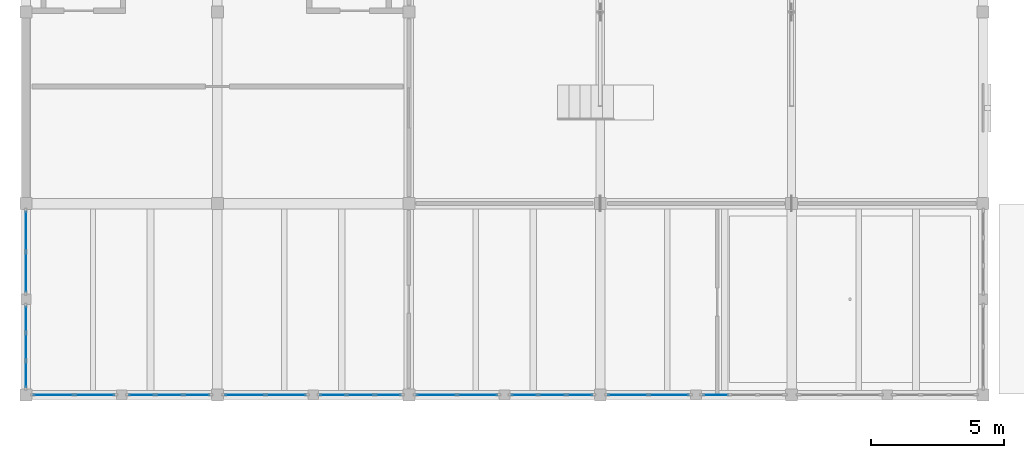
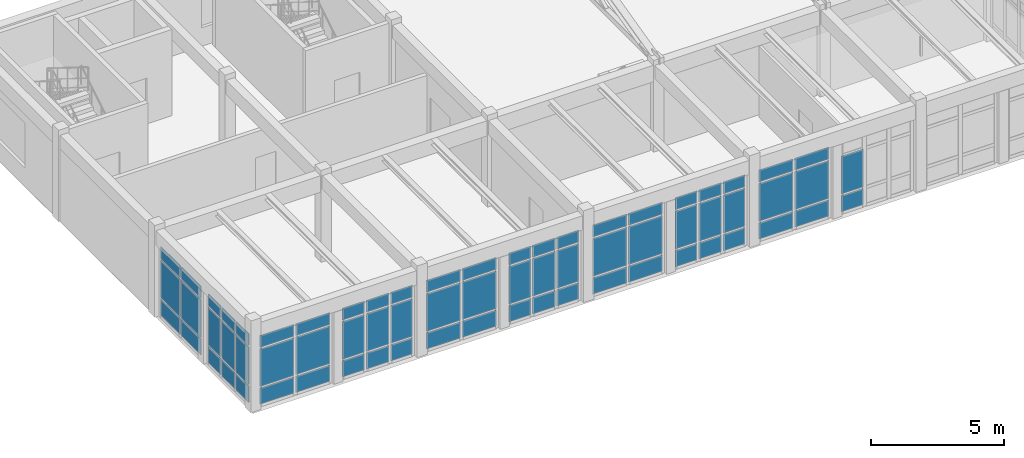
# One storey, part 75 of 136: 68 plates, 10 elements without a shape of their own.
"""IFC4 building model written with IfcOpenShell, lengths in metres."""

from ifc_helpers import new_model, si_unit, direction, frame, origin, origin_2d, place, context, subcontext, project, spatial, rectangle, extrude, material, layer, layer_set, type_object, element, aggregate, save


model = new_model("IFC4")

# Units and contexts
model_context = context("Model", 3, precision=1e-05, world=origin(), true_north=direction((0.0, 1.0)))
body_context = subcontext(model_context, "Body", "Model", "MODEL_VIEW")
ifc_project = project(units=[si_unit("LENGTHUNIT", "METRE"), si_unit("AREAUNIT", "SQUARE_METRE"), si_unit("VOLUMEUNIT", "CUBIC_METRE"), si_unit("PLANEANGLEUNIT", "RADIAN"), si_unit("MASSUNIT", "GRAM", prefix="KILO")], contexts=[model_context])

# Site, building, storey
site_placement = place(None, origin())
site = spatial("IfcSite", under=ifc_project, at=site_placement, CompositionType="ELEMENT")
building_placement = place(site_placement, origin())
building = spatial("IfcBuilding", under=site, at=building_placement, Name="Koriwan Promenade Central Fire Station", CompositionType="ELEMENT")
storey_placement = place(building_placement, frame((0.0, 0.0, 5.39990234375)))
storey = spatial("IfcBuildingStorey", under=building, at=storey_placement, Name="L01", CompositionType="ELEMENT", Elevation=5.39990234375)

# Curtain wall, plates
ifc_material_1 = material(Name="Aluminium EN AW-6063-T6 and low-E glazing", Category="aluminium")
ifc_layer_1 = layer(ifc_material_1, 0.159912109375, Name="Aluminium EN AW-6063-T6 and low-E glazing")
ifc_layer_set_1 = layer_set([ifc_layer_1], Name="Aluminium EN AW-6063-T6 and low-E glazing")
curtain_wall_type_1 = type_object("IfcCurtainWallType", Name="CurtainWall_28_318x329", PredefinedType="USERDEFINED", material=ifc_layer_set_1)
curtain_wall_1_placement = place(storey_placement, origin())
curtain_wall_1 = element("IfcCurtainWall", 1, at=curtain_wall_1_placement, inside=storey, type_object=curtain_wall_type_1, Name="V3 L01 unitised curtain wall 069", ObjectType="UNITISED CURTAIN WALL", PredefinedType="USERDEFINED")
ifc_material_2 = material(Name="Solar-control low-E acoustic glazing", Category="glass")
ifc_layer_2 = layer(ifc_material_2, 0.031982421875, Name="Solar-control low-E acoustic glazing")
ifc_layer_set_2 = layer_set([ifc_layer_2], Name="Solar-control low-E acoustic glazing")
plate_type = type_object("IfcPlateType", Name="CWPanel_32", PredefinedType="CURTAIN_PANEL", material=ifc_layer_set_2)
plate_1_placement = place(storey_placement, frame((0.0, 6.16259765625, 0.0751953125), z_axis=(0.0, 0.0, 1.0), x_axis=(0.0, -1.0, 0.0)))
plate_1 = element("IfcPlate", 2, at=plate_1_placement, type_object=plate_type, Name="CW-28 panel 1.1", PredefinedType="CURTAIN_PANEL", context=body_context, shape_type="SweptSolid", body=[
    extrude(rectangle(XDim=1.47509765625, YDim=0.031982421875, at=origin_2d()), origin(), (0.0, 0.0, 1.0), 0.737548828125),
])
plate_2_placement = place(storey_placement, frame((0.0, 6.16259765625, 0.8876953125), z_axis=(0.0, 0.0, 1.0), x_axis=(0.0, -1.0, 0.0)))
plate_2 = element("IfcPlate", 3, at=plate_2_placement, type_object=plate_type, Name="CW-28 panel 1.2", PredefinedType="CURTAIN_PANEL", context=body_context, shape_type="SweptSolid", body=[
    extrude(rectangle(XDim=1.47509765625, YDim=0.031982421875, at=origin_2d()), origin(), (0.0, 0.0, 1.0), 1.715087890625),
])
plate_3_placement = place(storey_placement, frame((0.0, 6.16259765625, 2.677490234375), z_axis=(0.0, 0.0, 1.0), x_axis=(0.0, -1.0, 0.0)))
plate_3 = element("IfcPlate", 4, at=plate_3_placement, type_object=plate_type, Name="CW-28 panel 1.3", PredefinedType="CURTAIN_PANEL", context=body_context, shape_type="SweptSolid", body=[
    extrude(rectangle(XDim=1.47509765625, YDim=0.031982421875, at=origin_2d()), origin(), (0.0, 0.0, 1.0), 0.53759765625),
])
plate_4_placement = place(storey_placement, frame((0.0, 4.612548828125, 0.0751953125), z_axis=(0.0, 0.0, 1.0), x_axis=(0.0, -1.0, 0.0)))
plate_4 = element("IfcPlate", 5, at=plate_4_placement, type_object=plate_type, Name="CW-28 panel 2.1", PredefinedType="CURTAIN_PANEL", context=body_context, shape_type="SweptSolid", body=[
    extrude(rectangle(XDim=1.47509765625, YDim=0.031982421875, at=origin_2d()), origin(), (0.0, 0.0, 1.0), 0.737548828125),
])
plate_5_placement = place(storey_placement, frame((0.0, 4.612548828125, 0.8876953125), z_axis=(0.0, 0.0, 1.0), x_axis=(0.0, -1.0, 0.0)))
plate_5 = element("IfcPlate", 6, at=plate_5_placement, type_object=plate_type, Name="CW-28 panel 2.2", PredefinedType="CURTAIN_PANEL", context=body_context, shape_type="SweptSolid", body=[
    extrude(rectangle(XDim=1.47509765625, YDim=0.031982421875, at=origin_2d()), origin(), (0.0, 0.0, 1.0), 1.715087890625),
])
plate_6_placement = place(storey_placement, frame((0.0, 4.612548828125, 2.677490234375), z_axis=(0.0, 0.0, 1.0), x_axis=(0.0, -1.0, 0.0)))
plate_6 = element("IfcPlate", 7, at=plate_6_placement, type_object=plate_type, Name="CW-28 panel 2.3", PredefinedType="CURTAIN_PANEL", context=body_context, shape_type="SweptSolid", body=[
    extrude(rectangle(XDim=1.47509765625, YDim=0.031982421875, at=origin_2d()), origin(), (0.0, 0.0, 1.0), 0.53759765625),
])
aggregate(curtain_wall_1, [plate_1, plate_2, plate_3, plate_4, plate_5, plate_6])

ifc_layer_3 = layer(ifc_material_1, 0.159912109375, Name="Aluminium EN AW-6063-T6 and low-E glazing")
ifc_layer_set_3 = layer_set([ifc_layer_3], Name="Aluminium EN AW-6063-T6 and low-E glazing")
curtain_wall_type_2 = type_object("IfcCurtainWallType", Name="CurtainWall_29_318x329", PredefinedType="USERDEFINED", material=ifc_layer_set_3)
curtain_wall_2_placement = place(storey_placement, origin())
curtain_wall_2 = element("IfcCurtainWall", 8, at=curtain_wall_2_placement, inside=storey, type_object=curtain_wall_type_2, Name="V3 L01 unitised curtain wall 070", ObjectType="UNITISED CURTAIN WALL", PredefinedType="USERDEFINED")
plate_7_placement = place(storey_placement, frame((0.0, 2.85205078125, 0.0751953125), z_axis=(0.0, 0.0, 1.0), x_axis=(0.0, -1.0, 0.0)))
plate_7 = element("IfcPlate", 9, at=plate_7_placement, type_object=plate_type, Name="CW-29 panel 1.1", PredefinedType="CURTAIN_PANEL", context=body_context, shape_type="SweptSolid", body=[
    extrude(rectangle(XDim=0.94580078125, YDim=0.031982421875, at=origin_2d()), origin(), (0.0, 0.0, 1.0), 0.737548828125),
])
plate_8_placement = place(storey_placement, frame((0.0, 2.85205078125, 0.8876953125), z_axis=(0.0, 0.0, 1.0), x_axis=(0.0, -1.0, 0.0)))
plate_8 = element("IfcPlate", 10, at=plate_8_placement, type_object=plate_type, Name="CW-29 panel 1.2", PredefinedType="CURTAIN_PANEL", context=body_context, shape_type="SweptSolid", body=[
    extrude(rectangle(XDim=0.94580078125, YDim=0.031982421875, at=origin_2d()), origin(), (0.0, 0.0, 1.0), 1.715087890625),
])
plate_9_placement = place(storey_placement, frame((0.0, 2.85205078125, 2.677490234375), z_axis=(0.0, 0.0, 1.0), x_axis=(0.0, -1.0, 0.0)))
plate_9 = element("IfcPlate", 11, at=plate_9_placement, type_object=plate_type, Name="CW-29 panel 1.3", PredefinedType="CURTAIN_PANEL", context=body_context, shape_type="SweptSolid", body=[
    extrude(rectangle(XDim=0.94580078125, YDim=0.031982421875, at=origin_2d()), origin(), (0.0, 0.0, 1.0), 0.53759765625),
])
plate_10_placement = place(storey_placement, frame((0.0, 1.8125, 0.0751953125), z_axis=(0.0, 0.0, 1.0), x_axis=(0.0, -1.0, 0.0)))
plate_10 = element("IfcPlate", 12, at=plate_10_placement, type_object=plate_type, Name="CW-29 panel 2.1", PredefinedType="CURTAIN_PANEL", context=body_context, shape_type="SweptSolid", body=[
    extrude(rectangle(XDim=0.9833984375, YDim=0.031982421875, at=origin_2d()), origin(), (0.0, 0.0, 1.0), 0.737548828125),
])
plate_11_placement = place(storey_placement, frame((0.0, 1.8125, 0.8876953125), z_axis=(0.0, 0.0, 1.0), x_axis=(0.0, -1.0, 0.0)))
plate_11 = element("IfcPlate", 13, at=plate_11_placement, type_object=plate_type, Name="CW-29 panel 2.2", PredefinedType="CURTAIN_PANEL", context=body_context, shape_type="SweptSolid", body=[
    extrude(rectangle(XDim=0.9833984375, YDim=0.031982421875, at=origin_2d()), origin(), (0.0, 0.0, 1.0), 1.715087890625),
])
plate_12_placement = place(storey_placement, frame((0.0, 1.8125, 2.677490234375), z_axis=(0.0, 0.0, 1.0), x_axis=(0.0, -1.0, 0.0)))
plate_12 = element("IfcPlate", 14, at=plate_12_placement, type_object=plate_type, Name="CW-29 panel 2.3", PredefinedType="CURTAIN_PANEL", context=body_context, shape_type="SweptSolid", body=[
    extrude(rectangle(XDim=0.9833984375, YDim=0.031982421875, at=origin_2d()), origin(), (0.0, 0.0, 1.0), 0.53759765625),
])
plate_13_placement = place(storey_placement, frame((0.0, 0.77294921875, 0.0751953125), z_axis=(0.0, 0.0, 1.0), x_axis=(0.0, -1.0, 0.0)))
plate_13 = element("IfcPlate", 15, at=plate_13_placement, type_object=plate_type, Name="CW-29 panel 3.1", PredefinedType="CURTAIN_PANEL", context=body_context, shape_type="SweptSolid", body=[
    extrude(rectangle(XDim=0.94580078125, YDim=0.031982421875, at=origin_2d()), origin(), (0.0, 0.0, 1.0), 0.737548828125),
])
plate_14_placement = place(storey_placement, frame((0.0, 0.77294921875, 0.8876953125), z_axis=(0.0, 0.0, 1.0), x_axis=(0.0, -1.0, 0.0)))
plate_14 = element("IfcPlate", 16, at=plate_14_placement, type_object=plate_type, Name="CW-29 panel 3.2", PredefinedType="CURTAIN_PANEL", context=body_context, shape_type="SweptSolid", body=[
    extrude(rectangle(XDim=0.94580078125, YDim=0.031982421875, at=origin_2d()), origin(), (0.0, 0.0, 1.0), 1.715087890625),
])
plate_15_placement = place(storey_placement, frame((0.0, 0.77294921875, 2.677490234375), z_axis=(0.0, 0.0, 1.0), x_axis=(0.0, -1.0, 0.0)))
plate_15 = element("IfcPlate", 17, at=plate_15_placement, type_object=plate_type, Name="CW-29 panel 3.3", PredefinedType="CURTAIN_PANEL", context=body_context, shape_type="SweptSolid", body=[
    extrude(rectangle(XDim=0.94580078125, YDim=0.031982421875, at=origin_2d()), origin(), (0.0, 0.0, 1.0), 0.53759765625),
])
aggregate(curtain_wall_2, [plate_7, plate_8, plate_9, plate_10, plate_11, plate_12, plate_13, plate_14, plate_15])

curtain_wall_3_placement = place(storey_placement, origin())
curtain_wall_3 = element("IfcCurtainWall", 18, at=curtain_wall_3_placement, inside=storey, type_object=curtain_wall_type_1, Name="V3 L01 unitised curtain wall 071", ObjectType="UNITISED CURTAIN WALL", PredefinedType="USERDEFINED")
plate_16_placement = place(storey_placement, frame((1.03759765625, 0.0, 0.0751953125), z_axis=(0.0, 0.0, 1.0), x_axis=(1.0, 0.0, 0.0)))
plate_16 = element("IfcPlate", 19, at=plate_16_placement, type_object=plate_type, Name="CW-28 panel 1.1", PredefinedType="CURTAIN_PANEL", context=body_context, shape_type="SweptSolid", body=[
    extrude(rectangle(XDim=1.47509765625, YDim=0.031982421875, at=origin_2d()), origin(), (0.0, 0.0, 1.0), 0.737548828125),
])
plate_17_placement = place(storey_placement, frame((1.03759765625, 0.0, 0.8876953125), z_axis=(0.0, 0.0, 1.0), x_axis=(1.0, 0.0, 0.0)))
plate_17 = element("IfcPlate", 20, at=plate_17_placement, type_object=plate_type, Name="CW-28 panel 1.2", PredefinedType="CURTAIN_PANEL", context=body_context, shape_type="SweptSolid", body=[
    extrude(rectangle(XDim=1.47509765625, YDim=0.031982421875, at=origin_2d()), origin(), (0.0, 0.0, 1.0), 1.715087890625),
])
plate_18_placement = place(storey_placement, frame((1.03759765625, 0.0, 2.677490234375), z_axis=(0.0, 0.0, 1.0), x_axis=(1.0, 0.0, 0.0)))
plate_18 = element("IfcPlate", 21, at=plate_18_placement, type_object=plate_type, Name="CW-28 panel 1.3", PredefinedType="CURTAIN_PANEL", context=body_context, shape_type="SweptSolid", body=[
    extrude(rectangle(XDim=1.47509765625, YDim=0.031982421875, at=origin_2d()), origin(), (0.0, 0.0, 1.0), 0.53759765625),
])
plate_19_placement = place(storey_placement, frame((2.58740234375, 0.0, 0.0751953125), z_axis=(0.0, 0.0, 1.0), x_axis=(1.0, 0.0, 0.0)))
plate_19 = element("IfcPlate", 22, at=plate_19_placement, type_object=plate_type, Name="CW-28 panel 2.1", PredefinedType="CURTAIN_PANEL", context=body_context, shape_type="SweptSolid", body=[
    extrude(rectangle(XDim=1.47509765625, YDim=0.031982421875, at=origin_2d()), origin(), (0.0, 0.0, 1.0), 0.737548828125),
])
plate_20_placement = place(storey_placement, frame((2.58740234375, 0.0, 0.8876953125), z_axis=(0.0, 0.0, 1.0), x_axis=(1.0, 0.0, 0.0)))
plate_20 = element("IfcPlate", 23, at=plate_20_placement, type_object=plate_type, Name="CW-28 panel 2.2", PredefinedType="CURTAIN_PANEL", context=body_context, shape_type="SweptSolid", body=[
    extrude(rectangle(XDim=1.47509765625, YDim=0.031982421875, at=origin_2d()), origin(), (0.0, 0.0, 1.0), 1.715087890625),
])
plate_21_placement = place(storey_placement, frame((2.58740234375, 0.0, 2.677490234375), z_axis=(0.0, 0.0, 1.0), x_axis=(1.0, 0.0, 0.0)))
plate_21 = element("IfcPlate", 24, at=plate_21_placement, type_object=plate_type, Name="CW-28 panel 2.3", PredefinedType="CURTAIN_PANEL", context=body_context, shape_type="SweptSolid", body=[
    extrude(rectangle(XDim=1.47509765625, YDim=0.031982421875, at=origin_2d()), origin(), (0.0, 0.0, 1.0), 0.53759765625),
])
aggregate(curtain_wall_3, [plate_16, plate_17, plate_18, plate_19, plate_20, plate_21])

curtain_wall_4_placement = place(storey_placement, origin())
curtain_wall_4 = element("IfcCurtainWall", 25, at=curtain_wall_4_placement, inside=storey, type_object=curtain_wall_type_2, Name="V3 L01 unitised curtain wall 072", ObjectType="UNITISED CURTAIN WALL", PredefinedType="USERDEFINED")
plate_22_placement = place(storey_placement, frame((4.347900390625, 0.0, 0.0751953125), z_axis=(0.0, 0.0, 1.0), x_axis=(1.0, 0.0, 0.0)))
plate_22 = element("IfcPlate", 26, at=plate_22_placement, type_object=plate_type, Name="CW-29 panel 1.1", PredefinedType="CURTAIN_PANEL", context=body_context, shape_type="SweptSolid", body=[
    extrude(rectangle(XDim=0.94580078125, YDim=0.031982421875, at=origin_2d()), origin(), (0.0, 0.0, 1.0), 0.737548828125),
])
plate_23_placement = place(storey_placement, frame((4.347900390625, 0.0, 0.8876953125), z_axis=(0.0, 0.0, 1.0), x_axis=(1.0, 0.0, 0.0)))
plate_23 = element("IfcPlate", 27, at=plate_23_placement, type_object=plate_type, Name="CW-29 panel 1.2", PredefinedType="CURTAIN_PANEL", context=body_context, shape_type="SweptSolid", body=[
    extrude(rectangle(XDim=0.94580078125, YDim=0.031982421875, at=origin_2d()), origin(), (0.0, 0.0, 1.0), 1.715087890625),
])
plate_24_placement = place(storey_placement, frame((4.347900390625, 0.0, 2.677490234375), z_axis=(0.0, 0.0, 1.0), x_axis=(1.0, 0.0, 0.0)))
plate_24 = element("IfcPlate", 28, at=plate_24_placement, type_object=plate_type, Name="CW-29 panel 1.3", PredefinedType="CURTAIN_PANEL", context=body_context, shape_type="SweptSolid", body=[
    extrude(rectangle(XDim=0.94580078125, YDim=0.031982421875, at=origin_2d()), origin(), (0.0, 0.0, 1.0), 0.53759765625),
])
plate_25_placement = place(storey_placement, frame((5.387451171875, 0.0, 0.0751953125), z_axis=(0.0, 0.0, 1.0), x_axis=(1.0, 0.0, 0.0)))
plate_25 = element("IfcPlate", 29, at=plate_25_placement, type_object=plate_type, Name="CW-29 panel 2.1", PredefinedType="CURTAIN_PANEL", context=body_context, shape_type="SweptSolid", body=[
    extrude(rectangle(XDim=0.9833984375, YDim=0.031982421875, at=origin_2d()), origin(), (0.0, 0.0, 1.0), 0.737548828125),
])
plate_26_placement = place(storey_placement, frame((5.387451171875, 0.0, 0.8876953125), z_axis=(0.0, 0.0, 1.0), x_axis=(1.0, 0.0, 0.0)))
plate_26 = element("IfcPlate", 30, at=plate_26_placement, type_object=plate_type, Name="CW-29 panel 2.2", PredefinedType="CURTAIN_PANEL", context=body_context, shape_type="SweptSolid", body=[
    extrude(rectangle(XDim=0.9833984375, YDim=0.031982421875, at=origin_2d()), origin(), (0.0, 0.0, 1.0), 1.715087890625),
])
plate_27_placement = place(storey_placement, frame((5.387451171875, 0.0, 2.677490234375), z_axis=(0.0, 0.0, 1.0), x_axis=(1.0, 0.0, 0.0)))
plate_27 = element("IfcPlate", 31, at=plate_27_placement, type_object=plate_type, Name="CW-29 panel 2.3", PredefinedType="CURTAIN_PANEL", context=body_context, shape_type="SweptSolid", body=[
    extrude(rectangle(XDim=0.9833984375, YDim=0.031982421875, at=origin_2d()), origin(), (0.0, 0.0, 1.0), 0.53759765625),
])
plate_28_placement = place(storey_placement, frame((6.427001953125, 0.0, 0.0751953125), z_axis=(0.0, 0.0, 1.0), x_axis=(1.0, 0.0, 0.0)))
plate_28 = element("IfcPlate", 32, at=plate_28_placement, type_object=plate_type, Name="CW-29 panel 3.1", PredefinedType="CURTAIN_PANEL", context=body_context, shape_type="SweptSolid", body=[
    extrude(rectangle(XDim=0.94580078125, YDim=0.031982421875, at=origin_2d()), origin(), (0.0, 0.0, 1.0), 0.737548828125),
])
plate_29_placement = place(storey_placement, frame((6.427001953125, 0.0, 0.8876953125), z_axis=(0.0, 0.0, 1.0), x_axis=(1.0, 0.0, 0.0)))
plate_29 = element("IfcPlate", 33, at=plate_29_placement, type_object=plate_type, Name="CW-29 panel 3.2", PredefinedType="CURTAIN_PANEL", context=body_context, shape_type="SweptSolid", body=[
    extrude(rectangle(XDim=0.94580078125, YDim=0.031982421875, at=origin_2d()), origin(), (0.0, 0.0, 1.0), 1.715087890625),
])
plate_30_placement = place(storey_placement, frame((6.427001953125, 0.0, 2.677490234375), z_axis=(0.0, 0.0, 1.0), x_axis=(1.0, 0.0, 0.0)))
plate_30 = element("IfcPlate", 34, at=plate_30_placement, type_object=plate_type, Name="CW-29 panel 3.3", PredefinedType="CURTAIN_PANEL", context=body_context, shape_type="SweptSolid", body=[
    extrude(rectangle(XDim=0.94580078125, YDim=0.031982421875, at=origin_2d()), origin(), (0.0, 0.0, 1.0), 0.53759765625),
])
aggregate(curtain_wall_4, [plate_22, plate_23, plate_24, plate_25, plate_26, plate_27, plate_28, plate_29, plate_30])

curtain_wall_5_placement = place(storey_placement, origin())
curtain_wall_5 = element("IfcCurtainWall", 35, at=curtain_wall_5_placement, inside=storey, type_object=curtain_wall_type_1, Name="V3 L01 unitised curtain wall 073", ObjectType="UNITISED CURTAIN WALL", PredefinedType="USERDEFINED")
plate_31_placement = place(storey_placement, frame((8.237548828125, 0.0, 0.0751953125), z_axis=(0.0, 0.0, 1.0), x_axis=(1.0, 0.0, 0.0)))
plate_31 = element("IfcPlate", 36, at=plate_31_placement, type_object=plate_type, Name="CW-28 panel 1.1", PredefinedType="CURTAIN_PANEL", context=body_context, shape_type="SweptSolid", body=[
    extrude(rectangle(XDim=1.47509765625, YDim=0.031982421875, at=origin_2d()), origin(), (0.0, 0.0, 1.0), 0.737548828125),
])
plate_32_placement = place(storey_placement, frame((8.237548828125, 0.0, 0.8876953125), z_axis=(0.0, 0.0, 1.0), x_axis=(1.0, 0.0, 0.0)))
plate_32 = element("IfcPlate", 37, at=plate_32_placement, type_object=plate_type, Name="CW-28 panel 1.2", PredefinedType="CURTAIN_PANEL", context=body_context, shape_type="SweptSolid", body=[
    extrude(rectangle(XDim=1.47509765625, YDim=0.031982421875, at=origin_2d()), origin(), (0.0, 0.0, 1.0), 1.715087890625),
])
plate_33_placement = place(storey_placement, frame((8.237548828125, 0.0, 2.677490234375), z_axis=(0.0, 0.0, 1.0), x_axis=(1.0, 0.0, 0.0)))
plate_33 = element("IfcPlate", 38, at=plate_33_placement, type_object=plate_type, Name="CW-28 panel 1.3", PredefinedType="CURTAIN_PANEL", context=body_context, shape_type="SweptSolid", body=[
    extrude(rectangle(XDim=1.47509765625, YDim=0.031982421875, at=origin_2d()), origin(), (0.0, 0.0, 1.0), 0.53759765625),
])
plate_34_placement = place(storey_placement, frame((9.78759765625, 0.0, 0.0751953125), z_axis=(0.0, 0.0, 1.0), x_axis=(1.0, 0.0, 0.0)))
plate_34 = element("IfcPlate", 39, at=plate_34_placement, type_object=plate_type, Name="CW-28 panel 2.1", PredefinedType="CURTAIN_PANEL", context=body_context, shape_type="SweptSolid", body=[
    extrude(rectangle(XDim=1.47509765625, YDim=0.031982421875, at=origin_2d()), origin(), (0.0, 0.0, 1.0), 0.737548828125),
])
plate_35_placement = place(storey_placement, frame((9.78759765625, 0.0, 0.8876953125), z_axis=(0.0, 0.0, 1.0), x_axis=(1.0, 0.0, 0.0)))
plate_35 = element("IfcPlate", 40, at=plate_35_placement, type_object=plate_type, Name="CW-28 panel 2.2", PredefinedType="CURTAIN_PANEL", context=body_context, shape_type="SweptSolid", body=[
    extrude(rectangle(XDim=1.47509765625, YDim=0.031982421875, at=origin_2d()), origin(), (0.0, 0.0, 1.0), 1.715087890625),
])
plate_36_placement = place(storey_placement, frame((9.78759765625, 0.0, 2.677490234375), z_axis=(0.0, 0.0, 1.0), x_axis=(1.0, 0.0, 0.0)))
plate_36 = element("IfcPlate", 41, at=plate_36_placement, type_object=plate_type, Name="CW-28 panel 2.3", PredefinedType="CURTAIN_PANEL", context=body_context, shape_type="SweptSolid", body=[
    extrude(rectangle(XDim=1.47509765625, YDim=0.031982421875, at=origin_2d()), origin(), (0.0, 0.0, 1.0), 0.53759765625),
])
aggregate(curtain_wall_5, [plate_31, plate_32, plate_33, plate_34, plate_35, plate_36])

curtain_wall_6_placement = place(storey_placement, origin())
curtain_wall_6 = element("IfcCurtainWall", 42, at=curtain_wall_6_placement, inside=storey, type_object=curtain_wall_type_2, Name="V3 L01 unitised curtain wall 074", ObjectType="UNITISED CURTAIN WALL", PredefinedType="USERDEFINED")
plate_37_placement = place(storey_placement, frame((11.5478515625, 0.0, 0.0751953125), z_axis=(0.0, 0.0, 1.0), x_axis=(1.0, 0.0, 0.0)))
plate_37 = element("IfcPlate", 43, at=plate_37_placement, type_object=plate_type, Name="CW-29 panel 1.1", PredefinedType="CURTAIN_PANEL", context=body_context, shape_type="SweptSolid", body=[
    extrude(rectangle(XDim=0.94580078125, YDim=0.031982421875, at=origin_2d()), origin(), (0.0, 0.0, 1.0), 0.737548828125),
])
plate_38_placement = place(storey_placement, frame((11.5478515625, 0.0, 0.8876953125), z_axis=(0.0, 0.0, 1.0), x_axis=(1.0, 0.0, 0.0)))
plate_38 = element("IfcPlate", 44, at=plate_38_placement, type_object=plate_type, Name="CW-29 panel 1.2", PredefinedType="CURTAIN_PANEL", context=body_context, shape_type="SweptSolid", body=[
    extrude(rectangle(XDim=0.94580078125, YDim=0.031982421875, at=origin_2d()), origin(), (0.0, 0.0, 1.0), 1.715087890625),
])
plate_39_placement = place(storey_placement, frame((11.5478515625, 0.0, 2.677490234375), z_axis=(0.0, 0.0, 1.0), x_axis=(1.0, 0.0, 0.0)))
plate_39 = element("IfcPlate", 45, at=plate_39_placement, type_object=plate_type, Name="CW-29 panel 1.3", PredefinedType="CURTAIN_PANEL", context=body_context, shape_type="SweptSolid", body=[
    extrude(rectangle(XDim=0.94580078125, YDim=0.031982421875, at=origin_2d()), origin(), (0.0, 0.0, 1.0), 0.53759765625),
])
plate_40_placement = place(storey_placement, frame((12.58740234375, 0.0, 0.0751953125), z_axis=(0.0, 0.0, 1.0), x_axis=(1.0, 0.0, 0.0)))
plate_40 = element("IfcPlate", 46, at=plate_40_placement, type_object=plate_type, Name="CW-29 panel 2.1", PredefinedType="CURTAIN_PANEL", context=body_context, shape_type="SweptSolid", body=[
    extrude(rectangle(XDim=0.9833984375, YDim=0.031982421875, at=origin_2d()), origin(), (0.0, 0.0, 1.0), 0.737548828125),
])
plate_41_placement = place(storey_placement, frame((12.58740234375, 0.0, 0.8876953125), z_axis=(0.0, 0.0, 1.0), x_axis=(1.0, 0.0, 0.0)))
plate_41 = element("IfcPlate", 47, at=plate_41_placement, type_object=plate_type, Name="CW-29 panel 2.2", PredefinedType="CURTAIN_PANEL", context=body_context, shape_type="SweptSolid", body=[
    extrude(rectangle(XDim=0.9833984375, YDim=0.031982421875, at=origin_2d()), origin(), (0.0, 0.0, 1.0), 1.715087890625),
])
plate_42_placement = place(storey_placement, frame((12.58740234375, 0.0, 2.677490234375), z_axis=(0.0, 0.0, 1.0), x_axis=(1.0, 0.0, 0.0)))
plate_42 = element("IfcPlate", 48, at=plate_42_placement, type_object=plate_type, Name="CW-29 panel 2.3", PredefinedType="CURTAIN_PANEL", context=body_context, shape_type="SweptSolid", body=[
    extrude(rectangle(XDim=0.9833984375, YDim=0.031982421875, at=origin_2d()), origin(), (0.0, 0.0, 1.0), 0.53759765625),
])
plate_43_placement = place(storey_placement, frame((13.627197265625, 0.0, 0.0751953125), z_axis=(0.0, 0.0, 1.0), x_axis=(1.0, 0.0, 0.0)))
plate_43 = element("IfcPlate", 49, at=plate_43_placement, type_object=plate_type, Name="CW-29 panel 3.1", PredefinedType="CURTAIN_PANEL", context=body_context, shape_type="SweptSolid", body=[
    extrude(rectangle(XDim=0.94580078125, YDim=0.031982421875, at=origin_2d()), origin(), (0.0, 0.0, 1.0), 0.737548828125),
])
plate_44_placement = place(storey_placement, frame((13.627197265625, 0.0, 0.8876953125), z_axis=(0.0, 0.0, 1.0), x_axis=(1.0, 0.0, 0.0)))
plate_44 = element("IfcPlate", 50, at=plate_44_placement, type_object=plate_type, Name="CW-29 panel 3.2", PredefinedType="CURTAIN_PANEL", context=body_context, shape_type="SweptSolid", body=[
    extrude(rectangle(XDim=0.94580078125, YDim=0.031982421875, at=origin_2d()), origin(), (0.0, 0.0, 1.0), 1.715087890625),
])
plate_45_placement = place(storey_placement, frame((13.627197265625, 0.0, 2.677490234375), z_axis=(0.0, 0.0, 1.0), x_axis=(1.0, 0.0, 0.0)))
plate_45 = element("IfcPlate", 51, at=plate_45_placement, type_object=plate_type, Name="CW-29 panel 3.3", PredefinedType="CURTAIN_PANEL", context=body_context, shape_type="SweptSolid", body=[
    extrude(rectangle(XDim=0.94580078125, YDim=0.031982421875, at=origin_2d()), origin(), (0.0, 0.0, 1.0), 0.53759765625),
])
aggregate(curtain_wall_6, [plate_37, plate_38, plate_39, plate_40, plate_41, plate_42, plate_43, plate_44, plate_45])

ifc_layer_4 = layer(ifc_material_1, 0.159912109375, Name="Aluminium EN AW-6063-T6 and low-E glazing")
ifc_layer_set_4 = layer_set([ifc_layer_4], Name="Aluminium EN AW-6063-T6 and low-E glazing")
curtain_wall_type_3 = type_object("IfcCurtainWallType", Name="CurtainWall_30_318x330", PredefinedType="USERDEFINED", material=ifc_layer_set_4)
curtain_wall_7_placement = place(storey_placement, origin())
curtain_wall_7 = element("IfcCurtainWall", 52, at=curtain_wall_7_placement, inside=storey, type_object=curtain_wall_type_3, Name="V3 L01 unitised curtain wall 075", ObjectType="UNITISED CURTAIN WALL", PredefinedType="USERDEFINED")
plate_46_placement = place(storey_placement, frame((15.4375, 0.0, 0.0751953125), z_axis=(0.0, 0.0, 1.0), x_axis=(1.0, 0.0, 0.0)))
plate_46 = element("IfcPlate", 53, at=plate_46_placement, type_object=plate_type, Name="CW-30 panel 1.1", PredefinedType="CURTAIN_PANEL", context=body_context, shape_type="SweptSolid", body=[
    extrude(rectangle(XDim=1.47509765625, YDim=0.031982421875, at=origin_2d()), origin(), (0.0, 0.0, 1.0), 0.737548828125),
])
plate_47_placement = place(storey_placement, frame((15.4375, 0.0, 0.887451171875), z_axis=(0.0, 0.0, 1.0), x_axis=(1.0, 0.0, 0.0)))
plate_47 = element("IfcPlate", 54, at=plate_47_placement, type_object=plate_type, Name="CW-30 panel 1.2", PredefinedType="CURTAIN_PANEL", context=body_context, shape_type="SweptSolid", body=[
    extrude(rectangle(XDim=1.47509765625, YDim=0.031982421875, at=origin_2d()), origin(), (0.0, 0.0, 1.0), 1.72509765625),
])
plate_48_placement = place(storey_placement, frame((15.4375, 0.0, 2.6875), z_axis=(0.0, 0.0, 1.0), x_axis=(1.0, 0.0, 0.0)))
plate_48 = element("IfcPlate", 55, at=plate_48_placement, type_object=plate_type, Name="CW-30 panel 1.3", PredefinedType="CURTAIN_PANEL", context=body_context, shape_type="SweptSolid", body=[
    extrude(rectangle(XDim=1.47509765625, YDim=0.031982421875, at=origin_2d()), origin(), (0.0, 0.0, 1.0), 0.53759765625),
])
plate_49_placement = place(storey_placement, frame((16.987548828125, 0.0, 0.0751953125), z_axis=(0.0, 0.0, 1.0), x_axis=(1.0, 0.0, 0.0)))
plate_49 = element("IfcPlate", 56, at=plate_49_placement, type_object=plate_type, Name="CW-30 panel 2.1", PredefinedType="CURTAIN_PANEL", context=body_context, shape_type="SweptSolid", body=[
    extrude(rectangle(XDim=1.47509765625, YDim=0.031982421875, at=origin_2d()), origin(), (0.0, 0.0, 1.0), 0.737548828125),
])
plate_50_placement = place(storey_placement, frame((16.987548828125, 0.0, 0.887451171875), z_axis=(0.0, 0.0, 1.0), x_axis=(1.0, 0.0, 0.0)))
plate_50 = element("IfcPlate", 57, at=plate_50_placement, type_object=plate_type, Name="CW-30 panel 2.2", PredefinedType="CURTAIN_PANEL", context=body_context, shape_type="SweptSolid", body=[
    extrude(rectangle(XDim=1.47509765625, YDim=0.031982421875, at=origin_2d()), origin(), (0.0, 0.0, 1.0), 1.72509765625),
])
plate_51_placement = place(storey_placement, frame((16.987548828125, 0.0, 2.6875), z_axis=(0.0, 0.0, 1.0), x_axis=(1.0, 0.0, 0.0)))
plate_51 = element("IfcPlate", 58, at=plate_51_placement, type_object=plate_type, Name="CW-30 panel 2.3", PredefinedType="CURTAIN_PANEL", context=body_context, shape_type="SweptSolid", body=[
    extrude(rectangle(XDim=1.47509765625, YDim=0.031982421875, at=origin_2d()), origin(), (0.0, 0.0, 1.0), 0.53759765625),
])
aggregate(curtain_wall_7, [plate_46, plate_47, plate_48, plate_49, plate_50, plate_51])

ifc_layer_5 = layer(ifc_material_1, 0.159912109375, Name="Aluminium EN AW-6063-T6 and low-E glazing")
ifc_layer_set_5 = layer_set([ifc_layer_5], Name="Aluminium EN AW-6063-T6 and low-E glazing")
curtain_wall_type_4 = type_object("IfcCurtainWallType", Name="CurtainWall_31_318x330", PredefinedType="USERDEFINED", material=ifc_layer_set_5)
curtain_wall_8_placement = place(storey_placement, origin())
curtain_wall_8 = element("IfcCurtainWall", 59, at=curtain_wall_8_placement, inside=storey, type_object=curtain_wall_type_4, Name="V3 L01 unitised curtain wall 076", ObjectType="UNITISED CURTAIN WALL", PredefinedType="USERDEFINED")
plate_52_placement = place(storey_placement, frame((18.747802734375, 0.0, 0.0751953125), z_axis=(0.0, 0.0, 1.0), x_axis=(1.0, 0.0, 0.0)))
plate_52 = element("IfcPlate", 60, at=plate_52_placement, type_object=plate_type, Name="CW-31 panel 1.1", PredefinedType="CURTAIN_PANEL", context=body_context, shape_type="SweptSolid", body=[
    extrude(rectangle(XDim=0.94580078125, YDim=0.031982421875, at=origin_2d()), origin(), (0.0, 0.0, 1.0), 0.737548828125),
])
plate_53_placement = place(storey_placement, frame((18.747802734375, 0.0, 0.887451171875), z_axis=(0.0, 0.0, 1.0), x_axis=(1.0, 0.0, 0.0)))
plate_53 = element("IfcPlate", 61, at=plate_53_placement, type_object=plate_type, Name="CW-31 panel 1.2", PredefinedType="CURTAIN_PANEL", context=body_context, shape_type="SweptSolid", body=[
    extrude(rectangle(XDim=0.94580078125, YDim=0.031982421875, at=origin_2d()), origin(), (0.0, 0.0, 1.0), 1.72509765625),
])
plate_54_placement = place(storey_placement, frame((18.747802734375, 0.0, 2.6875), z_axis=(0.0, 0.0, 1.0), x_axis=(1.0, 0.0, 0.0)))
plate_54 = element("IfcPlate", 62, at=plate_54_placement, type_object=plate_type, Name="CW-31 panel 1.3", PredefinedType="CURTAIN_PANEL", context=body_context, shape_type="SweptSolid", body=[
    extrude(rectangle(XDim=0.94580078125, YDim=0.031982421875, at=origin_2d()), origin(), (0.0, 0.0, 1.0), 0.53759765625),
])
plate_55_placement = place(storey_placement, frame((19.78759765625, 0.0, 0.0751953125), z_axis=(0.0, 0.0, 1.0), x_axis=(1.0, 0.0, 0.0)))
plate_55 = element("IfcPlate", 63, at=plate_55_placement, type_object=plate_type, Name="CW-31 panel 2.1", PredefinedType="CURTAIN_PANEL", context=body_context, shape_type="SweptSolid", body=[
    extrude(rectangle(XDim=0.9833984375, YDim=0.031982421875, at=origin_2d()), origin(), (0.0, 0.0, 1.0), 0.737548828125),
])
plate_56_placement = place(storey_placement, frame((19.78759765625, 0.0, 0.887451171875), z_axis=(0.0, 0.0, 1.0), x_axis=(1.0, 0.0, 0.0)))
plate_56 = element("IfcPlate", 64, at=plate_56_placement, type_object=plate_type, Name="CW-31 panel 2.2", PredefinedType="CURTAIN_PANEL", context=body_context, shape_type="SweptSolid", body=[
    extrude(rectangle(XDim=0.9833984375, YDim=0.031982421875, at=origin_2d()), origin(), (0.0, 0.0, 1.0), 1.72509765625),
])
plate_57_placement = place(storey_placement, frame((19.78759765625, 0.0, 2.6875), z_axis=(0.0, 0.0, 1.0), x_axis=(1.0, 0.0, 0.0)))
plate_57 = element("IfcPlate", 65, at=plate_57_placement, type_object=plate_type, Name="CW-31 panel 2.3", PredefinedType="CURTAIN_PANEL", context=body_context, shape_type="SweptSolid", body=[
    extrude(rectangle(XDim=0.9833984375, YDim=0.031982421875, at=origin_2d()), origin(), (0.0, 0.0, 1.0), 0.53759765625),
])
plate_58_placement = place(storey_placement, frame((20.8271484375, 0.0, 0.0751953125), z_axis=(0.0, 0.0, 1.0), x_axis=(1.0, 0.0, 0.0)))
plate_58 = element("IfcPlate", 66, at=plate_58_placement, type_object=plate_type, Name="CW-31 panel 3.1", PredefinedType="CURTAIN_PANEL", context=body_context, shape_type="SweptSolid", body=[
    extrude(rectangle(XDim=0.94580078125, YDim=0.031982421875, at=origin_2d()), origin(), (0.0, 0.0, 1.0), 0.737548828125),
])
plate_59_placement = place(storey_placement, frame((20.8271484375, 0.0, 0.887451171875), z_axis=(0.0, 0.0, 1.0), x_axis=(1.0, 0.0, 0.0)))
plate_59 = element("IfcPlate", 67, at=plate_59_placement, type_object=plate_type, Name="CW-31 panel 3.2", PredefinedType="CURTAIN_PANEL", context=body_context, shape_type="SweptSolid", body=[
    extrude(rectangle(XDim=0.94580078125, YDim=0.031982421875, at=origin_2d()), origin(), (0.0, 0.0, 1.0), 1.72509765625),
])
plate_60_placement = place(storey_placement, frame((20.8271484375, 0.0, 2.6875), z_axis=(0.0, 0.0, 1.0), x_axis=(1.0, 0.0, 0.0)))
plate_60 = element("IfcPlate", 68, at=plate_60_placement, type_object=plate_type, Name="CW-31 panel 3.3", PredefinedType="CURTAIN_PANEL", context=body_context, shape_type="SweptSolid", body=[
    extrude(rectangle(XDim=0.94580078125, YDim=0.031982421875, at=origin_2d()), origin(), (0.0, 0.0, 1.0), 0.53759765625),
])
aggregate(curtain_wall_8, [plate_52, plate_53, plate_54, plate_55, plate_56, plate_57, plate_58, plate_59, plate_60])

curtain_wall_9_placement = place(storey_placement, origin())
curtain_wall_9 = element("IfcCurtainWall", 69, at=curtain_wall_9_placement, inside=storey, type_object=curtain_wall_type_3, Name="V3 L01 unitised curtain wall 077", ObjectType="UNITISED CURTAIN WALL", PredefinedType="USERDEFINED")
plate_61_placement = place(storey_placement, frame((22.637451171875, 0.0, 0.0751953125), z_axis=(0.0, 0.0, 1.0), x_axis=(1.0, 0.0, 0.0)))
plate_61 = element("IfcPlate", 70, at=plate_61_placement, type_object=plate_type, Name="CW-30 panel 1.1", PredefinedType="CURTAIN_PANEL", context=body_context, shape_type="SweptSolid", body=[
    extrude(rectangle(XDim=1.47509765625, YDim=0.031982421875, at=origin_2d()), origin(), (0.0, 0.0, 1.0), 0.737548828125),
])
plate_62_placement = place(storey_placement, frame((22.637451171875, 0.0, 0.887451171875), z_axis=(0.0, 0.0, 1.0), x_axis=(1.0, 0.0, 0.0)))
plate_62 = element("IfcPlate", 71, at=plate_62_placement, type_object=plate_type, Name="CW-30 panel 1.2", PredefinedType="CURTAIN_PANEL", context=body_context, shape_type="SweptSolid", body=[
    extrude(rectangle(XDim=1.47509765625, YDim=0.031982421875, at=origin_2d()), origin(), (0.0, 0.0, 1.0), 1.72509765625),
])
plate_63_placement = place(storey_placement, frame((22.637451171875, 0.0, 2.6875), z_axis=(0.0, 0.0, 1.0), x_axis=(1.0, 0.0, 0.0)))
plate_63 = element("IfcPlate", 72, at=plate_63_placement, type_object=plate_type, Name="CW-30 panel 1.3", PredefinedType="CURTAIN_PANEL", context=body_context, shape_type="SweptSolid", body=[
    extrude(rectangle(XDim=1.47509765625, YDim=0.031982421875, at=origin_2d()), origin(), (0.0, 0.0, 1.0), 0.53759765625),
])
plate_64_placement = place(storey_placement, frame((24.1875, 0.0, 0.0751953125), z_axis=(0.0, 0.0, 1.0), x_axis=(1.0, 0.0, 0.0)))
plate_64 = element("IfcPlate", 73, at=plate_64_placement, type_object=plate_type, Name="CW-30 panel 2.1", PredefinedType="CURTAIN_PANEL", context=body_context, shape_type="SweptSolid", body=[
    extrude(rectangle(XDim=1.47509765625, YDim=0.031982421875, at=origin_2d()), origin(), (0.0, 0.0, 1.0), 0.737548828125),
])
plate_65_placement = place(storey_placement, frame((24.1875, 0.0, 0.887451171875), z_axis=(0.0, 0.0, 1.0), x_axis=(1.0, 0.0, 0.0)))
plate_65 = element("IfcPlate", 74, at=plate_65_placement, type_object=plate_type, Name="CW-30 panel 2.2", PredefinedType="CURTAIN_PANEL", context=body_context, shape_type="SweptSolid", body=[
    extrude(rectangle(XDim=1.47509765625, YDim=0.031982421875, at=origin_2d()), origin(), (0.0, 0.0, 1.0), 1.72509765625),
])
plate_66_placement = place(storey_placement, frame((24.1875, 0.0, 2.6875), z_axis=(0.0, 0.0, 1.0), x_axis=(1.0, 0.0, 0.0)))
plate_66 = element("IfcPlate", 75, at=plate_66_placement, type_object=plate_type, Name="CW-30 panel 2.3", PredefinedType="CURTAIN_PANEL", context=body_context, shape_type="SweptSolid", body=[
    extrude(rectangle(XDim=1.47509765625, YDim=0.031982421875, at=origin_2d()), origin(), (0.0, 0.0, 1.0), 0.53759765625),
])
aggregate(curtain_wall_9, [plate_61, plate_62, plate_63, plate_64, plate_65, plate_66])

curtain_wall_10_placement = place(storey_placement, origin())
curtain_wall_10 = element("IfcCurtainWall", 76, at=curtain_wall_10_placement, inside=storey, type_object=curtain_wall_type_4, Name="V3 L01 unitised curtain wall 078", ObjectType="UNITISED CURTAIN WALL", PredefinedType="USERDEFINED")
plate_67_placement = place(storey_placement, frame((25.947998046875, 0.0, 0.0751953125), z_axis=(0.0, 0.0, 1.0), x_axis=(1.0, 0.0, 0.0)))
plate_67 = element("IfcPlate", 77, at=plate_67_placement, type_object=plate_type, Name="CW-31 panel 1.1", PredefinedType="CURTAIN_PANEL", context=body_context, shape_type="SweptSolid", body=[
    extrude(rectangle(XDim=0.94580078125, YDim=0.031982421875, at=origin_2d()), origin(), (0.0, 0.0, 1.0), 0.737548828125),
])
plate_68_placement = place(storey_placement, frame((25.947998046875, 0.0, 0.887451171875), z_axis=(0.0, 0.0, 1.0), x_axis=(1.0, 0.0, 0.0)))
plate_68 = element("IfcPlate", 78, at=plate_68_placement, type_object=plate_type, Name="CW-31 panel 1.2", PredefinedType="CURTAIN_PANEL", context=body_context, shape_type="SweptSolid", body=[
    extrude(rectangle(XDim=0.94580078125, YDim=0.031982421875, at=origin_2d()), origin(), (0.0, 0.0, 1.0), 1.72509765625),
])
aggregate(curtain_wall_10, [plate_67, plate_68])

save(model, "model.ifc")
